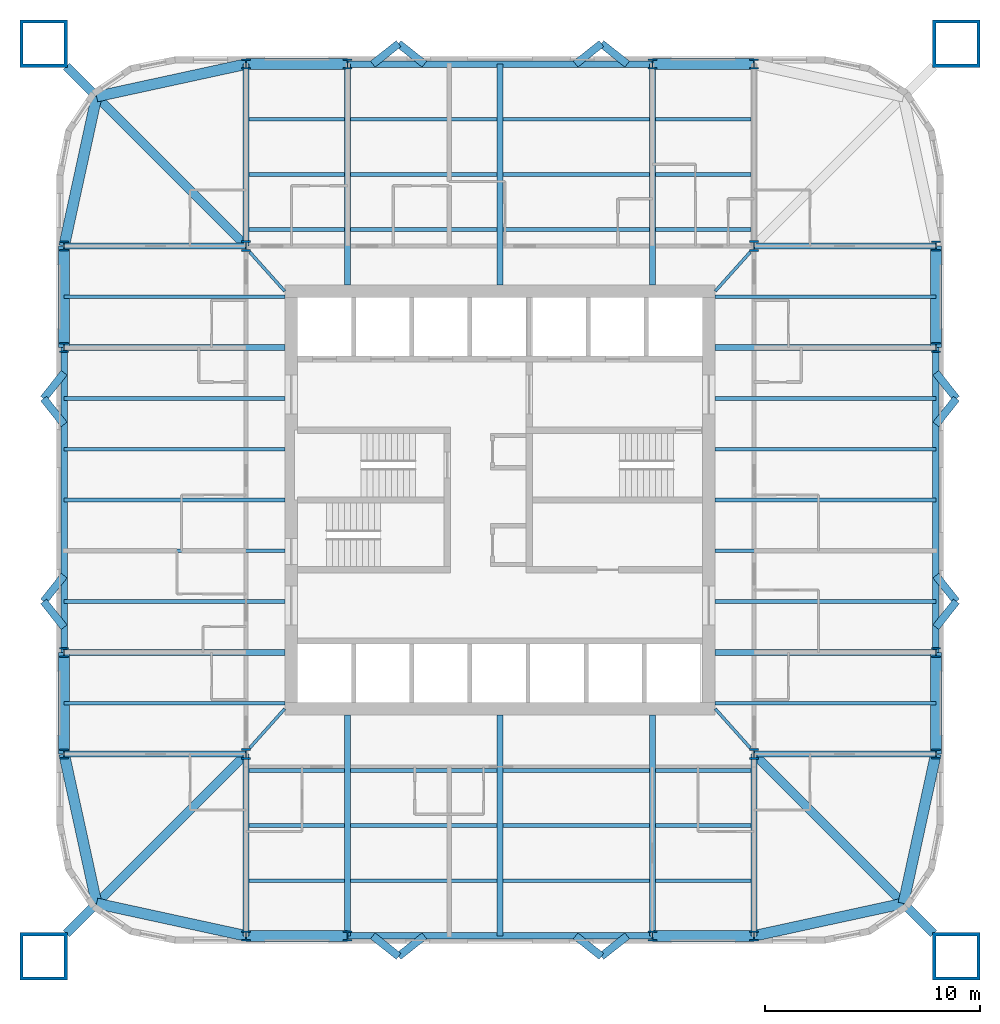
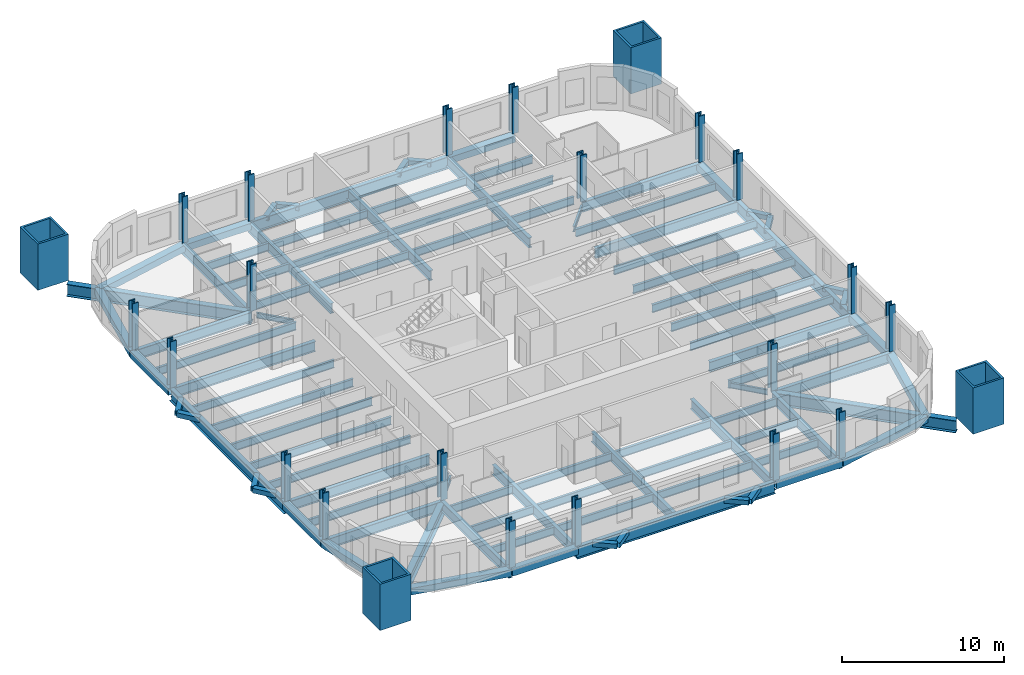
# One storey, part 1 of 9: 96 beams, 24 columns.
"""IFC4 building model written with IfcOpenShell, lengths in metres."""

from ifc_helpers import new_model, si_unit, direction, frame, origin, origin_2d, place, context, subcontext, project, spatial, hollow_rectangle, i_section, extrude, material, material_profile, profile_set, type_object, element, save


model = new_model("IFC4")

# Units and contexts
model_context = context("Model", 3, precision=1e-05, world=origin(), true_north=direction((0.0, 1.0)))
body_context = subcontext(model_context, "Body", "Model", "MODEL_VIEW")
ifc_project = project(units=[si_unit("LENGTHUNIT", "METRE"), si_unit("AREAUNIT", "SQUARE_METRE"), si_unit("VOLUMEUNIT", "CUBIC_METRE"), si_unit("PLANEANGLEUNIT", "RADIAN"), si_unit("MASSUNIT", "GRAM", prefix="KILO")], contexts=[model_context])

# Site, building, storey
site_placement = place(None, origin())
site = spatial("IfcSite", under=ifc_project, at=site_placement, CompositionType="ELEMENT")
building_placement = place(site_placement, origin())
building = spatial("IfcBuilding", under=site, at=building_placement, Name="Turquesa Mirador Hotel Tower", CompositionType="ELEMENT")
storey_placement = place(building_placement, frame((0.0, 0.0, 131.89990234375)))
storey = spatial("IfcBuildingStorey", under=building, at=storey_placement, Name="L35", CompositionType="ELEMENT", Elevation=131.89990234375)

# Columns
ifc_material_1 = material(Name="Steel ASTM A992 Grade 50", Category="steel")
ifc_material_profile_1 = material_profile(ifc_material_1, i_section(OverallWidth=0.421630859375, OverallDepth=0.46484375, WebThickness=0.044921875, FlangeThickness=0.072509765625, at=origin_2d()), Name="W14X398")
ifc_profile_set_1 = profile_set([ifc_material_profile_1], Name="Steel ASTM A992 Grade 50")
column_type_1 = type_object("IfcColumnType", Name="COLUMN W14X398", PredefinedType="COLUMN", material=ifc_profile_set_1)
for number, where, z_axis, x_axis, name in (
    (1, (34.75, 33.199951171875, 0.0), (0.0, 0.0, 1.0), (1.0, 0.0, 0.0), "COL-L35-P--20.25--11.80"),
    (2, (34.75, 37.919921875, 0.0), (0.0, 0.0, 1.0), (1.0, 0.0, 0.0), "COL-L35-P--20.25--7.08"),
    (3, (34.75, 52.080078125, 0.0), (0.0, 0.0, 1.0), (1.0, 0.0, 0.0), "COL-L35-P--20.25-+7.08"),
    (4, (34.75, 56.800048828125, 0.0), (0.0, 0.0, 1.0), (1.0, 0.0, 0.0), "COL-L35-P--20.25-+11.80"),
    (5, (43.199951171875, 24.75, 0.0), (0.0, 0.0, 1.0), (1.0, 0.0, 0.0), "COL-L35-P--11.80--20.25"),
    (6, (43.199951171875, 65.25, 0.0), (0.0, 0.0, 1.0), (1.0, 0.0, 0.0), "COL-L35-P--11.80-+20.25"),
    (7, (47.919921875, 24.75, 0.0), (0.0, 0.0, 1.0), (1.0, 0.0, 0.0), "COL-L35-P--7.08--20.25"),
    (8, (47.919921875, 65.25, 0.0), (0.0, 0.0, 1.0), (1.0, 0.0, 0.0), "COL-L35-P--7.08-+20.25"),
    (9, (62.080078125, 24.75, 0.0), (0.0, 0.0, 1.0), (1.0, 0.0, 0.0), "COL-L35-P-+7.08--20.25"),
    (10, (62.080078125, 65.25, 0.0), (0.0, 0.0, 1.0), (1.0, 0.0, 0.0), "COL-L35-P-+7.08-+20.25"),
    (11, (66.800048828125, 24.75, 0.0), (0.0, 0.0, 1.0), (1.0, 0.0, 0.0), "COL-L35-P-+11.80--20.25"),
    (12, (66.800048828125, 65.25, 0.0), (0.0, 0.0, 1.0), (1.0, 0.0, 0.0), "COL-L35-P-+11.80-+20.25"),
    (13, (75.25, 33.199951171875, 0.0), (0.0, 0.0, 1.0), (1.0, 0.0, 0.0), "COL-L35-P-+20.25--11.80"),
    (14, (75.25, 37.919921875, 0.0), (0.0, 0.0, 1.0), (1.0, 0.0, 0.0), "COL-L35-P-+20.25--7.08"),
    (15, (75.25, 52.080078125, 0.0), (0.0, 0.0, 1.0), (1.0, 0.0, 0.0), "COL-L35-P-+20.25-+7.08"),
    (16, (75.25, 56.800048828125, 0.0), (0.0, 0.0, 1.0), (1.0, 0.0, 0.0), "COL-L35-P-+20.25-+11.80"),
):
    element("IfcColumn", number, at=place(storey_placement, frame(where, z_axis=z_axis, x_axis=x_axis)), inside=storey, type_object=column_type_1, Name=name, PredefinedType="COLUMN", context=body_context, shape_type="SweptSolid", body=[
        extrude(i_section(OverallWidth=0.421630859375, OverallDepth=0.46484375, WebThickness=0.044921875, FlangeThickness=0.072509765625, at=origin_2d()), origin(), (0.0, 0.0, 1.0), 3.5),
    ])
ifc_material_2 = material(Name="Steel ASTM A992 Grade 50", Category="steel")
ifc_material_profile_2 = material_profile(ifc_material_2, i_section(OverallWidth=0.431884765625, OverallDepth=0.497802734375, WebThickness=0.0556640625, FlangeThickness=0.0888671875, at=origin_2d()), Name="W14X500")
ifc_profile_set_2 = profile_set([ifc_material_profile_2], Name="Steel ASTM A992 Grade 50")
column_type_2 = type_object("IfcColumnType", Name="COLUMN W14X500", PredefinedType="COLUMN", material=ifc_profile_set_2)
for number, where, z_axis, x_axis, name in (
    (17, (43.199951171875, 33.199951171875, 0.0), (0.0, 0.0, 1.0), (1.0, 0.0, 0.0), "COL-L35-K--11.80--11.80"),
    (18, (43.199951171875, 56.800048828125, 0.0), (0.0, 0.0, 1.0), (1.0, 0.0, 0.0), "COL-L35-K--11.80-+11.80"),
    (19, (66.800048828125, 33.199951171875, 0.0), (0.0, 0.0, 1.0), (1.0, 0.0, 0.0), "COL-L35-K-+11.80--11.80"),
    (20, (66.800048828125, 56.800048828125, 0.0), (0.0, 0.0, 1.0), (1.0, 0.0, 0.0), "COL-L35-K-+11.80-+11.80"),
):
    element("IfcColumn", number, at=place(storey_placement, frame(where, z_axis=z_axis, x_axis=x_axis)), inside=storey, type_object=column_type_2, Name=name, PredefinedType="COLUMN", context=body_context, shape_type="SweptSolid", body=[
        extrude(i_section(OverallWidth=0.431884765625, OverallDepth=0.497802734375, WebThickness=0.0556640625, FlangeThickness=0.0888671875, at=origin_2d()), origin(), (0.0, 0.0, 1.0), 3.5),
    ])
ifc_material_3 = material(Name="Steel ASTM A514 Grade Q", Category="steel")
ifc_material_profile_3 = material_profile(ifc_material_3, hollow_rectangle(XDim=2.199951171875, YDim=2.199951171875, WallThickness=0.14990234375, at=origin_2d()), Name="BOX2200X2200X150")
ifc_profile_set_3 = profile_set([ifc_material_profile_3], Name="Steel ASTM A514 Grade Q")
column_type_3 = type_object("IfcColumnType", Name="MEGA COLUMN BOX2200X2200X150", PredefinedType="COLUMN", material=ifc_profile_set_3)
for number, where, z_axis, x_axis, name in (
    (21, (76.199951171875, 66.199951171875, 0.0), (0.0, 0.0, 1.0), (1.0, 0.0, 0.0), "Mega column M1"),
    (22, (33.800048828125, 66.199951171875, 0.0), (0.0, 0.0, 1.0), (1.0, 0.0, 0.0), "Mega column M2"),
    (23, (33.800048828125, 23.800048828125, 0.0), (0.0, 0.0, 1.0), (1.0, 0.0, 0.0), "Mega column M3"),
    (24, (76.199951171875, 23.800048828125, 0.0), (0.0, 0.0, 1.0), (1.0, 0.0, 0.0), "Mega column M4"),
):
    element("IfcColumn", number, at=place(storey_placement, frame(where, z_axis=z_axis, x_axis=x_axis)), inside=storey, type_object=column_type_3, Name=name, PredefinedType="COLUMN", context=body_context, shape_type="SweptSolid", body=[
        extrude(hollow_rectangle(XDim=2.199951171875, YDim=2.199951171875, WallThickness=0.14990234375, at=origin_2d()), origin(), (0.0, 0.0, 1.0), 3.5),
    ])

# Beams
ifc_material_4 = material(Name="Steel ASTM A572 Grade 50", Category="steel")
ifc_material_profile_4 = material_profile(ifc_material_4, hollow_rectangle(XDim=0.5, YDim=0.5, WallThickness=0.01611328125, at=origin_2d()), Name="BOX500X500X16")
ifc_profile_set_4 = profile_set([ifc_material_profile_4], Name="Steel ASTM A572 Grade 50")
beam_type_1 = type_object("IfcBeamType", Name="BEAM BOX500X500X16", PredefinedType="BEAM", material=ifc_profile_set_4)
for number, where, z_axis, x_axis, name in (
    (25, (43.199951171875, 65.25, -0.419921875), (1.0, 0.0, 0.0), (0.0, 1.0, 0.0), "EB-L35-N-L"),
    (26, (62.080078125, 65.25, -0.419921875), (1.0, 0.0, 0.0), (0.0, 1.0, 0.0), "EB-L35-N-R"),
    (27, (43.199951171875, 24.75, -0.419921875), (1.0, 0.0, 0.0), (0.0, 1.0, 0.0), "EB-L35-S-L"),
    (28, (62.080078125, 24.75, -0.419921875), (1.0, 0.0, 0.0), (0.0, 1.0, 0.0), "EB-L35-S-R"),
    (29, (75.25, 33.199951171875, -0.419921875), (0.0, 1.0, 0.0), (-1.0, 0.0, 0.0), "EB-L35-E-L"),
    (30, (75.25, 52.080078125, -0.419921875), (0.0, 1.0, 0.0), (-1.0, 0.0, 0.0), "EB-L35-E-R"),
    (31, (34.75, 33.199951171875, -0.419921875), (0.0, 1.0, 0.0), (-1.0, 0.0, 0.0), "EB-L35-W-L"),
    (32, (34.75, 52.080078125, -0.419921875), (0.0, 1.0, 0.0), (-1.0, 0.0, 0.0), "EB-L35-W-R"),
):
    element("IfcBeam", number, at=place(storey_placement, frame(where, z_axis=z_axis, x_axis=x_axis)), inside=storey, type_object=beam_type_1, Name=name, PredefinedType="BEAM", context=body_context, shape_type="SweptSolid", body=[
        extrude(hollow_rectangle(XDim=0.5, YDim=0.5, WallThickness=0.01611328125, at=origin_2d()), origin(), (0.0, 0.0, 1.0), 4.719970703125),
    ])
for number, where, z_axis, x_axis, name in (
    (33, (34.75, 56.800048828125, -0.419921875), (0.212328336885, 0.977198381781, 0.0), (-0.977198381781, 0.212328336885, 0.0), "KE-L35-2-0"),
    (34, (36.25830078125, 63.74169921875, -0.419921875), (0.977198381781, 0.212328336885, 0.0), (-0.212328336885, 0.977198381781, 0.0), "KE-L35-2-1"),
    (35, (34.75, 33.199951171875, -0.419921875), (0.212328336885, -0.977198381781, 0.0), (0.977198381781, 0.212328336885, 0.0), "KE-L35-3-0"),
    (36, (36.25830078125, 26.25830078125, -0.419921875), (0.977198381781, -0.212328336885, 0.0), (0.212328336885, 0.977198381781, 0.0), "KE-L35-3-1"),
    (37, (75.25, 33.199951171875, -0.419921875), (-0.212328336885, -0.977198381781, 0.0), (0.977198381781, -0.212328336885, 0.0), "KE-L35-4-0"),
    (38, (73.74169921875, 26.25830078125, -0.419921875), (-0.977198381781, -0.212328336885, 0.0), (0.212328336885, -0.977198381781, 0.0), "KE-L35-4-1"),
):
    element("IfcBeam", number, at=place(storey_placement, frame(where, z_axis=z_axis, x_axis=x_axis)), inside=storey, type_object=beam_type_1, Name=name, PredefinedType="BEAM", context=body_context, shape_type="SweptSolid", body=[
        extrude(hollow_rectangle(XDim=0.5, YDim=0.5, WallThickness=0.01611328125, at=origin_2d()), origin(), (0.0, 0.0, 1.0), 7.103515625),
    ])
ifc_material_5 = material(Name="Steel ASTM A992 Grade 50", Category="steel")
ifc_material_profile_5 = material_profile(ifc_material_5, i_section(OverallWidth=0.140380859375, OverallDepth=0.40380859375, WebThickness=0.007080078125, FlangeThickness=0.01123046875, at=origin_2d()), Name="W16X31")
ifc_profile_set_5 = profile_set([ifc_material_profile_5], Name="Steel ASTM A992 Grade 50")
beam_type_2 = type_object("IfcBeamType", Name="BEAM W16X31", PredefinedType="BEAM", material=ifc_profile_set_5)
for number, where, z_axis, x_axis, name in (
    (39, (66.626953125, 56.518310546875, -0.371826171875), (-0.66679485947, -0.745241313525, 0.0), (0.745241313525, -0.66679485947, 0.0), "KT-L35-1"),
    (40, (43.373046875, 56.518310546875, -0.371826171875), (0.66679485947, -0.745241313525, 0.0), (0.745241313525, 0.66679485947, 0.0), "KT-L35-2"),
    (41, (43.373046875, 33.481689453125, -0.371826171875), (0.66679485947, 0.745241313525, 0.0), (-0.745241313525, 0.66679485947, 0.0), "KT-L35-3"),
    (42, (66.626953125, 33.481689453125, -0.371826171875), (-0.66679485947, 0.745241313525, 0.0), (-0.745241313525, -0.66679485947, 0.0), "KT-L35-4"),
):
    element("IfcBeam", number, at=place(storey_placement, frame(where, z_axis=z_axis, x_axis=x_axis)), inside=storey, type_object=beam_type_2, Name=name, PredefinedType="BEAM", context=body_context, shape_type="SweptSolid", body=[
        extrude(i_section(OverallWidth=0.140380859375, OverallDepth=0.40380859375, WebThickness=0.007080078125, FlangeThickness=0.01123046875, at=origin_2d()), origin(), (0.0, 0.0, 1.0), 2.43994140625),
    ])
ifc_material_6 = material(Name="Steel ASTM A992 Grade 50", Category="steel")
ifc_material_profile_6 = material_profile(ifc_material_6, i_section(OverallWidth=0.177978515625, OverallDepth=0.599365234375, WebThickness=0.010009765625, FlangeThickness=0.012939453125, at=origin_2d()), Name="W24X55")
ifc_profile_set_6 = profile_set([ifc_material_profile_6], Name="Steel ASTM A992 Grade 50")
beam_type_3 = type_object("IfcBeamType", Name="BEAM W24X55", PredefinedType="BEAM", material=ifc_profile_set_6)
beam_1_placement = place(storey_placement, frame((43.333251953125, 57.56201171875, -0.4697265625), z_axis=(1.0, 0.0, 0.0), x_axis=(0.0, 1.0, 0.0)))
element("IfcBeam", 43, at=beam_1_placement, inside=storey, type_object=beam_type_3, Name="IB-L35-N-1-0", PredefinedType="BEAM", context=body_context, shape_type="SweptSolid", body=[
    extrude(i_section(OverallWidth=0.177978515625, OverallDepth=0.599365234375, WebThickness=0.010009765625, FlangeThickness=0.012939453125, at=origin_2d()), origin(), (0.0, 0.0, 1.0), 4.453369140625),
])
for number, where, z_axis, x_axis, name in (
    (44, (48.053466796875, 57.56201171875, -0.4697265625), (1.0, 0.0, 0.0), (0.0, 1.0, 0.0), "IB-L35-N-1-1"),
    (45, (55.13330078125, 57.56201171875, -0.4697265625), (1.0, 0.0, 0.0), (0.0, 1.0, 0.0), "IB-L35-N-1-2"),
):
    element("IfcBeam", number, at=place(storey_placement, frame(where, z_axis=z_axis, x_axis=x_axis)), inside=storey, type_object=beam_type_3, Name=name, PredefinedType="BEAM", context=body_context, shape_type="SweptSolid", body=[
        extrude(i_section(OverallWidth=0.177978515625, OverallDepth=0.599365234375, WebThickness=0.010009765625, FlangeThickness=0.012939453125, at=origin_2d()), origin(), (0.0, 0.0, 1.0), 6.813232421875),
    ])
for number, where, z_axis, x_axis, name in (
    (46, (62.21337890625, 57.56201171875, -0.4697265625), (1.0, 0.0, 0.0), (0.0, 1.0, 0.0), "IB-L35-N-1-3"),
    (47, (43.333251953125, 60.125, -0.4697265625), (1.0, 0.0, 0.0), (0.0, 1.0, 0.0), "IB-L35-N-2-0"),
):
    element("IfcBeam", number, at=place(storey_placement, frame(where, z_axis=z_axis, x_axis=x_axis)), inside=storey, type_object=beam_type_3, Name=name, PredefinedType="BEAM", context=body_context, shape_type="SweptSolid", body=[
        extrude(i_section(OverallWidth=0.177978515625, OverallDepth=0.599365234375, WebThickness=0.010009765625, FlangeThickness=0.012939453125, at=origin_2d()), origin(), (0.0, 0.0, 1.0), 4.453369140625),
    ])
for number, where, z_axis, x_axis, name in (
    (48, (48.053466796875, 60.125, -0.4697265625), (1.0, 0.0, 0.0), (0.0, 1.0, 0.0), "IB-L35-N-2-1"),
    (49, (55.13330078125, 60.125, -0.4697265625), (1.0, 0.0, 0.0), (0.0, 1.0, 0.0), "IB-L35-N-2-2"),
):
    element("IfcBeam", number, at=place(storey_placement, frame(where, z_axis=z_axis, x_axis=x_axis)), inside=storey, type_object=beam_type_3, Name=name, PredefinedType="BEAM", context=body_context, shape_type="SweptSolid", body=[
        extrude(i_section(OverallWidth=0.177978515625, OverallDepth=0.599365234375, WebThickness=0.010009765625, FlangeThickness=0.012939453125, at=origin_2d()), origin(), (0.0, 0.0, 1.0), 6.813232421875),
    ])
for number, where, z_axis, x_axis, name in (
    (50, (62.21337890625, 60.125, -0.4697265625), (1.0, 0.0, 0.0), (0.0, 1.0, 0.0), "IB-L35-N-2-3"),
    (51, (43.333251953125, 62.68798828125, -0.4697265625), (1.0, 0.0, 0.0), (0.0, 1.0, 0.0), "IB-L35-N-3-0"),
):
    element("IfcBeam", number, at=place(storey_placement, frame(where, z_axis=z_axis, x_axis=x_axis)), inside=storey, type_object=beam_type_3, Name=name, PredefinedType="BEAM", context=body_context, shape_type="SweptSolid", body=[
        extrude(i_section(OverallWidth=0.177978515625, OverallDepth=0.599365234375, WebThickness=0.010009765625, FlangeThickness=0.012939453125, at=origin_2d()), origin(), (0.0, 0.0, 1.0), 4.453369140625),
    ])
for number, where, z_axis, x_axis, name in (
    (52, (48.053466796875, 62.68798828125, -0.4697265625), (1.0, 0.0, 0.0), (0.0, 1.0, 0.0), "IB-L35-N-3-1"),
    (53, (55.13330078125, 62.68798828125, -0.4697265625), (1.0, 0.0, 0.0), (0.0, 1.0, 0.0), "IB-L35-N-3-2"),
):
    element("IfcBeam", number, at=place(storey_placement, frame(where, z_axis=z_axis, x_axis=x_axis)), inside=storey, type_object=beam_type_3, Name=name, PredefinedType="BEAM", context=body_context, shape_type="SweptSolid", body=[
        extrude(i_section(OverallWidth=0.177978515625, OverallDepth=0.599365234375, WebThickness=0.010009765625, FlangeThickness=0.012939453125, at=origin_2d()), origin(), (0.0, 0.0, 1.0), 6.813232421875),
    ])
for number, where, z_axis, x_axis, name in (
    (54, (62.21337890625, 62.68798828125, -0.4697265625), (1.0, 0.0, 0.0), (0.0, 1.0, 0.0), "IB-L35-N-3-3"),
    (55, (43.333251953125, 32.43798828125, -0.4697265625), (1.0, 0.0, 0.0), (0.0, 1.0, 0.0), "IB-L35-S-1-0"),
):
    element("IfcBeam", number, at=place(storey_placement, frame(where, z_axis=z_axis, x_axis=x_axis)), inside=storey, type_object=beam_type_3, Name=name, PredefinedType="BEAM", context=body_context, shape_type="SweptSolid", body=[
        extrude(i_section(OverallWidth=0.177978515625, OverallDepth=0.599365234375, WebThickness=0.010009765625, FlangeThickness=0.012939453125, at=origin_2d()), origin(), (0.0, 0.0, 1.0), 4.453369140625),
    ])
for number, where, z_axis, x_axis, name in (
    (56, (48.053466796875, 32.43798828125, -0.4697265625), (1.0, 0.0, 0.0), (0.0, 1.0, 0.0), "IB-L35-S-1-1"),
    (57, (55.13330078125, 32.43798828125, -0.4697265625), (1.0, 0.0, 0.0), (0.0, 1.0, 0.0), "IB-L35-S-1-2"),
):
    element("IfcBeam", number, at=place(storey_placement, frame(where, z_axis=z_axis, x_axis=x_axis)), inside=storey, type_object=beam_type_3, Name=name, PredefinedType="BEAM", context=body_context, shape_type="SweptSolid", body=[
        extrude(i_section(OverallWidth=0.177978515625, OverallDepth=0.599365234375, WebThickness=0.010009765625, FlangeThickness=0.012939453125, at=origin_2d()), origin(), (0.0, 0.0, 1.0), 6.813232421875),
    ])
for number, where, z_axis, x_axis, name in (
    (58, (62.21337890625, 32.43798828125, -0.4697265625), (1.0, 0.0, 0.0), (0.0, 1.0, 0.0), "IB-L35-S-1-3"),
    (59, (43.333251953125, 29.875, -0.4697265625), (1.0, 0.0, 0.0), (0.0, 1.0, 0.0), "IB-L35-S-2-0"),
):
    element("IfcBeam", number, at=place(storey_placement, frame(where, z_axis=z_axis, x_axis=x_axis)), inside=storey, type_object=beam_type_3, Name=name, PredefinedType="BEAM", context=body_context, shape_type="SweptSolid", body=[
        extrude(i_section(OverallWidth=0.177978515625, OverallDepth=0.599365234375, WebThickness=0.010009765625, FlangeThickness=0.012939453125, at=origin_2d()), origin(), (0.0, 0.0, 1.0), 4.453369140625),
    ])
for number, where, z_axis, x_axis, name in (
    (60, (48.053466796875, 29.875, -0.4697265625), (1.0, 0.0, 0.0), (0.0, 1.0, 0.0), "IB-L35-S-2-1"),
    (61, (55.13330078125, 29.875, -0.4697265625), (1.0, 0.0, 0.0), (0.0, 1.0, 0.0), "IB-L35-S-2-2"),
):
    element("IfcBeam", number, at=place(storey_placement, frame(where, z_axis=z_axis, x_axis=x_axis)), inside=storey, type_object=beam_type_3, Name=name, PredefinedType="BEAM", context=body_context, shape_type="SweptSolid", body=[
        extrude(i_section(OverallWidth=0.177978515625, OverallDepth=0.599365234375, WebThickness=0.010009765625, FlangeThickness=0.012939453125, at=origin_2d()), origin(), (0.0, 0.0, 1.0), 6.813232421875),
    ])
for number, where, z_axis, x_axis, name in (
    (62, (62.21337890625, 29.875, -0.4697265625), (1.0, 0.0, 0.0), (0.0, 1.0, 0.0), "IB-L35-S-2-3"),
    (63, (43.333251953125, 27.31201171875, -0.4697265625), (1.0, 0.0, 0.0), (0.0, 1.0, 0.0), "IB-L35-S-3-0"),
):
    element("IfcBeam", number, at=place(storey_placement, frame(where, z_axis=z_axis, x_axis=x_axis)), inside=storey, type_object=beam_type_3, Name=name, PredefinedType="BEAM", context=body_context, shape_type="SweptSolid", body=[
        extrude(i_section(OverallWidth=0.177978515625, OverallDepth=0.599365234375, WebThickness=0.010009765625, FlangeThickness=0.012939453125, at=origin_2d()), origin(), (0.0, 0.0, 1.0), 4.453369140625),
    ])
for number, where, z_axis, x_axis, name in (
    (64, (48.053466796875, 27.31201171875, -0.4697265625), (1.0, 0.0, 0.0), (0.0, 1.0, 0.0), "IB-L35-S-3-1"),
    (65, (55.13330078125, 27.31201171875, -0.4697265625), (1.0, 0.0, 0.0), (0.0, 1.0, 0.0), "IB-L35-S-3-2"),
):
    element("IfcBeam", number, at=place(storey_placement, frame(where, z_axis=z_axis, x_axis=x_axis)), inside=storey, type_object=beam_type_3, Name=name, PredefinedType="BEAM", context=body_context, shape_type="SweptSolid", body=[
        extrude(i_section(OverallWidth=0.177978515625, OverallDepth=0.599365234375, WebThickness=0.010009765625, FlangeThickness=0.012939453125, at=origin_2d()), origin(), (0.0, 0.0, 1.0), 6.813232421875),
    ])
beam_2_placement = place(storey_placement, frame((62.21337890625, 27.31201171875, -0.4697265625), z_axis=(1.0, 0.0, 0.0), x_axis=(0.0, 1.0, 0.0)))
element("IfcBeam", 66, at=beam_2_placement, inside=storey, type_object=beam_type_3, Name="IB-L35-S-3-3", PredefinedType="BEAM", context=body_context, shape_type="SweptSolid", body=[
    extrude(i_section(OverallWidth=0.177978515625, OverallDepth=0.599365234375, WebThickness=0.010009765625, FlangeThickness=0.012939453125, at=origin_2d()), origin(), (0.0, 0.0, 1.0), 4.453369140625),
])
for number, where, z_axis, x_axis, name in (
    (67, (75.25, 35.56005859375, -0.4697265625), (-1.0, 0.0, 0.0), (0.0, -1.0, 0.0), "BM-L35-E--9.44"),
    (68, (75.25, 40.280029296875, -0.4697265625), (-1.0, 0.0, 0.0), (0.0, -1.0, 0.0), "BM-L35-E--4.72"),
    (69, (75.25, 42.639892578125, -0.4697265625), (-1.0, 0.0, 0.0), (0.0, -1.0, 0.0), "BM-L35-E--2.36"),
    (70, (75.25, 45.0, -0.4697265625), (-1.0, 0.0, 0.0), (0.0, -1.0, 0.0), "BM-L35-E-+0.00"),
    (71, (75.25, 47.360107421875, -0.4697265625), (-1.0, 0.0, 0.0), (0.0, -1.0, 0.0), "BM-L35-E-+2.36"),
    (72, (75.25, 49.719970703125, -0.4697265625), (-1.0, 0.0, 0.0), (0.0, -1.0, 0.0), "BM-L35-E-+4.72"),
    (73, (75.25, 54.43994140625, -0.4697265625), (-1.0, 0.0, 0.0), (0.0, -1.0, 0.0), "BM-L35-E-+9.44"),
    (74, (34.75, 35.56005859375, -0.4697265625), (1.0, 0.0, 0.0), (0.0, 1.0, 0.0), "BM-L35-W--9.44"),
    (75, (34.75, 40.280029296875, -0.4697265625), (1.0, 0.0, 0.0), (0.0, 1.0, 0.0), "BM-L35-W--4.72"),
    (76, (34.75, 42.639892578125, -0.4697265625), (1.0, 0.0, 0.0), (0.0, 1.0, 0.0), "BM-L35-W--2.36"),
    (77, (34.75, 45.0, -0.4697265625), (1.0, 0.0, 0.0), (0.0, 1.0, 0.0), "BM-L35-W-+0.00"),
    (78, (34.75, 47.360107421875, -0.4697265625), (1.0, 0.0, 0.0), (0.0, 1.0, 0.0), "BM-L35-W-+2.36"),
    (79, (34.75, 49.719970703125, -0.4697265625), (1.0, 0.0, 0.0), (0.0, 1.0, 0.0), "BM-L35-W-+4.72"),
    (80, (34.75, 54.43994140625, -0.4697265625), (1.0, 0.0, 0.0), (0.0, 1.0, 0.0), "BM-L35-W-+9.44"),
):
    element("IfcBeam", number, at=place(storey_placement, frame(where, z_axis=z_axis, x_axis=x_axis)), inside=storey, type_object=beam_type_3, Name=name, PredefinedType="BEAM", context=body_context, shape_type="SweptSolid", body=[
        extrude(i_section(OverallWidth=0.177978515625, OverallDepth=0.599365234375, WebThickness=0.010009765625, FlangeThickness=0.012939453125, at=origin_2d()), origin(), (0.0, 0.0, 1.0), 10.25),
    ])
ifc_material_7 = material(Name="Steel ASTM A992 Grade 50", Category="steel")
ifc_material_profile_7 = material_profile(ifc_material_7, i_section(OverallWidth=0.2666015625, OverallDepth=0.7568359375, WebThickness=0.013916015625, FlangeThickness=0.019287109375, at=origin_2d()), Name="W30X108")
ifc_profile_set_7 = profile_set([ifc_material_profile_7], Name="Steel ASTM A992 Grade 50")
beam_type_4 = type_object("IfcBeamType", Name="BEAM W30X108", PredefinedType="BEAM", material=ifc_profile_set_7)
for number, where, z_axis, x_axis, name in (
    (81, (47.919921875, 65.25, -0.54833984375), (0.0, -1.0, 0.0), (1.0, 0.0, 0.0), "GD-L35-N--7.08"),
    (82, (62.080078125, 65.25, -0.54833984375), (0.0, -1.0, 0.0), (1.0, 0.0, 0.0), "GD-L35-N-+7.08"),
    (83, (55.0, 65.25, -0.54833984375), (0.0, -1.0, 0.0), (1.0, 0.0, 0.0), "GD-L35-N-+0.00"),
):
    element("IfcBeam", number, at=place(storey_placement, frame(where, z_axis=z_axis, x_axis=x_axis)), inside=storey, type_object=beam_type_4, Name=name, PredefinedType="BEAM", context=body_context, shape_type="SweptSolid", body=[
        extrude(i_section(OverallWidth=0.2666015625, OverallDepth=0.7568359375, WebThickness=0.013916015625, FlangeThickness=0.019287109375, at=origin_2d()), origin(), (0.0, 0.0, 1.0), 10.25),
    ])
beam_3_placement = place(storey_placement, frame((43.199951171875, 65.25, -0.54833984375), z_axis=(0.0, -1.0, 0.0), x_axis=(1.0, 0.0, 0.0)))
element("IfcBeam", 84, at=beam_3_placement, inside=storey, type_object=beam_type_4, Name="GK-L35-N--11.80", PredefinedType="BEAM", context=body_context, shape_type="SweptSolid", body=[
    extrude(i_section(OverallWidth=0.2666015625, OverallDepth=0.7568359375, WebThickness=0.013916015625, FlangeThickness=0.019287109375, at=origin_2d()), origin(), (0.0, 0.0, 1.0), 8.449951171875),
])
for number, where, z_axis, x_axis, name in (
    (85, (47.919921875, 24.75, -0.54833984375), (0.0, 1.0, 0.0), (-1.0, 0.0, 0.0), "GD-L35-S--7.08"),
    (86, (62.080078125, 24.75, -0.54833984375), (0.0, 1.0, 0.0), (-1.0, 0.0, 0.0), "GD-L35-S-+7.08"),
    (87, (55.0, 24.75, -0.54833984375), (0.0, 1.0, 0.0), (-1.0, 0.0, 0.0), "GD-L35-S-+0.00"),
):
    element("IfcBeam", number, at=place(storey_placement, frame(where, z_axis=z_axis, x_axis=x_axis)), inside=storey, type_object=beam_type_4, Name=name, PredefinedType="BEAM", context=body_context, shape_type="SweptSolid", body=[
        extrude(i_section(OverallWidth=0.2666015625, OverallDepth=0.7568359375, WebThickness=0.013916015625, FlangeThickness=0.019287109375, at=origin_2d()), origin(), (0.0, 0.0, 1.0), 10.25),
    ])
for number, where, z_axis, x_axis, name in (
    (88, (43.199951171875, 24.75, -0.54833984375), (0.0, 1.0, 0.0), (-1.0, 0.0, 0.0), "GK-L35-S--11.80"),
    (89, (66.800048828125, 24.75, -0.54833984375), (0.0, 1.0, 0.0), (-1.0, 0.0, 0.0), "GK-L35-S-+11.80"),
):
    element("IfcBeam", number, at=place(storey_placement, frame(where, z_axis=z_axis, x_axis=x_axis)), inside=storey, type_object=beam_type_4, Name=name, PredefinedType="BEAM", context=body_context, shape_type="SweptSolid", body=[
        extrude(i_section(OverallWidth=0.2666015625, OverallDepth=0.7568359375, WebThickness=0.013916015625, FlangeThickness=0.019287109375, at=origin_2d()), origin(), (0.0, 0.0, 1.0), 8.449951171875),
    ])
for number, where, z_axis, x_axis, name in (
    (90, (75.25, 37.919921875, -0.54833984375), (-1.0, 0.0, 0.0), (0.0, -1.0, 0.0), "GD-L35-E--7.08"),
    (91, (75.25, 52.080078125, -0.54833984375), (-1.0, 0.0, 0.0), (0.0, -1.0, 0.0), "GD-L35-E-+7.08"),
):
    element("IfcBeam", number, at=place(storey_placement, frame(where, z_axis=z_axis, x_axis=x_axis)), inside=storey, type_object=beam_type_4, Name=name, PredefinedType="BEAM", context=body_context, shape_type="SweptSolid", body=[
        extrude(i_section(OverallWidth=0.2666015625, OverallDepth=0.7568359375, WebThickness=0.013916015625, FlangeThickness=0.019287109375, at=origin_2d()), origin(), (0.0, 0.0, 1.0), 10.25),
    ])
for number, where, z_axis, x_axis, name in (
    (92, (75.25, 33.199951171875, -0.54833984375), (-1.0, 0.0, 0.0), (0.0, -1.0, 0.0), "GK-L35-E--11.80"),
    (93, (75.25, 56.800048828125, -0.54833984375), (-1.0, 0.0, 0.0), (0.0, -1.0, 0.0), "GK-L35-E-+11.80"),
):
    element("IfcBeam", number, at=place(storey_placement, frame(where, z_axis=z_axis, x_axis=x_axis)), inside=storey, type_object=beam_type_4, Name=name, PredefinedType="BEAM", context=body_context, shape_type="SweptSolid", body=[
        extrude(i_section(OverallWidth=0.2666015625, OverallDepth=0.7568359375, WebThickness=0.013916015625, FlangeThickness=0.019287109375, at=origin_2d()), origin(), (0.0, 0.0, 1.0), 8.449951171875),
    ])
for number, where, z_axis, x_axis, name in (
    (94, (34.75, 37.919921875, -0.54833984375), (1.0, 0.0, 0.0), (0.0, 1.0, 0.0), "GD-L35-W--7.08"),
    (95, (34.75, 52.080078125, -0.54833984375), (1.0, 0.0, 0.0), (0.0, 1.0, 0.0), "GD-L35-W-+7.08"),
):
    element("IfcBeam", number, at=place(storey_placement, frame(where, z_axis=z_axis, x_axis=x_axis)), inside=storey, type_object=beam_type_4, Name=name, PredefinedType="BEAM", context=body_context, shape_type="SweptSolid", body=[
        extrude(i_section(OverallWidth=0.2666015625, OverallDepth=0.7568359375, WebThickness=0.013916015625, FlangeThickness=0.019287109375, at=origin_2d()), origin(), (0.0, 0.0, 1.0), 10.25),
    ])
for number, where, z_axis, x_axis, name in (
    (96, (34.75, 33.199951171875, -0.54833984375), (1.0, 0.0, 0.0), (0.0, 1.0, 0.0), "GK-L35-W--11.80"),
    (97, (34.75, 56.800048828125, -0.54833984375), (1.0, 0.0, 0.0), (0.0, 1.0, 0.0), "GK-L35-W-+11.80"),
):
    element("IfcBeam", number, at=place(storey_placement, frame(where, z_axis=z_axis, x_axis=x_axis)), inside=storey, type_object=beam_type_4, Name=name, PredefinedType="BEAM", context=body_context, shape_type="SweptSolid", body=[
        extrude(i_section(OverallWidth=0.2666015625, OverallDepth=0.7568359375, WebThickness=0.013916015625, FlangeThickness=0.019287109375, at=origin_2d()), origin(), (0.0, 0.0, 1.0), 8.449951171875),
    ])
ifc_material_8 = material(Name="Steel ASTM A992 Grade 50", Category="steel")
ifc_material_profile_8 = material_profile(ifc_material_8, i_section(OverallWidth=0.3046875, OverallDepth=0.911865234375, WebThickness=0.015869140625, FlangeThickness=0.02392578125, at=origin_2d()), Name="W36X150")
ifc_profile_set_8 = profile_set([ifc_material_profile_8], Name="Steel ASTM A992 Grade 50")
beam_type_5 = type_object("IfcBeamType", Name="BEAM W36X150", PredefinedType="BEAM", material=ifc_profile_set_8)
for number, where, z_axis, x_axis, name in (
    (98, (47.919921875, 65.25, -0.625732421875), (1.0, 0.0, 0.0), (0.0, 1.0, 0.0), "EB-L35-N-C"),
    (99, (47.919921875, 24.75, -0.625732421875), (1.0, 0.0, 0.0), (0.0, 1.0, 0.0), "EB-L35-S-C"),
    (100, (75.25, 37.919921875, -0.625732421875), (0.0, 1.0, 0.0), (-1.0, 0.0, 0.0), "EB-L35-E-C"),
    (101, (34.75, 37.919921875, -0.625732421875), (0.0, 1.0, 0.0), (-1.0, 0.0, 0.0), "EB-L35-W-C"),
):
    element("IfcBeam", number, at=place(storey_placement, frame(where, z_axis=z_axis, x_axis=x_axis)), inside=storey, type_object=beam_type_5, Name=name, PredefinedType="BEAM", context=body_context, shape_type="SweptSolid", body=[
        extrude(i_section(OverallWidth=0.3046875, OverallDepth=0.911865234375, WebThickness=0.015869140625, FlangeThickness=0.02392578125, at=origin_2d()), origin(), (0.0, 0.0, 1.0), 14.16015625),
    ])
ifc_material_9 = material(Name="Steel ASTM A992 Grade 50", Category="steel")
ifc_material_profile_9 = material_profile(ifc_material_9, i_section(OverallWidth=0.419189453125, OverallDepth=0.927001953125, WebThickness=0.019287109375, FlangeThickness=0.031982421875, at=origin_2d()), Name="W36X231")
ifc_profile_set_9 = profile_set([ifc_material_profile_9], Name="Steel ASTM A992 Grade 50")
beam_type_6 = type_object("IfcBeamType", Name="BEAM W36X231", PredefinedType="BEAM", material=ifc_profile_set_9)
for number, where, z_axis, x_axis, name in (
    (102, (43.199951171875, 56.800048828125, -0.633544921875), (-0.707106781187, 0.707106781187, 0.0), (-0.707106781187, -0.707106781187, 0.0), "KD-L35-2"),
    (103, (43.199951171875, 33.199951171875, -0.633544921875), (-0.707106781187, -0.707106781187, 0.0), (0.707106781187, -0.707106781187, 0.0), "KD-L35-3"),
    (104, (66.800048828125, 33.199951171875, -0.633544921875), (0.707106781187, -0.707106781187, 0.0), (0.707106781187, 0.707106781187, 0.0), "KD-L35-4"),
):
    element("IfcBeam", number, at=place(storey_placement, frame(where, z_axis=z_axis, x_axis=x_axis)), inside=storey, type_object=beam_type_6, Name=name, PredefinedType="BEAM", context=body_context, shape_type="SweptSolid", body=[
        extrude(i_section(OverallWidth=0.419189453125, OverallDepth=0.927001953125, WebThickness=0.019287109375, FlangeThickness=0.031982421875, at=origin_2d()), origin(), (0.0, 0.0, 1.0), 11.80859375),
    ])
ifc_material_10 = material(Name="Steel ASTM A500 Grade C", Category="steel")
ifc_material_profile_10 = material_profile(ifc_material_10, hollow_rectangle(XDim=0.355712890625, YDim=0.355712890625, WallThickness=0.0146484375, at=origin_2d()), Name="HSS14X14X5/8")
ifc_profile_set_10 = profile_set([ifc_material_profile_10], Name="Steel ASTM A500 Grade C")
beam_type_7 = type_object("IfcBeamType", Name="BRACE STRUT HSS14X14X5/8", PredefinedType="BEAM", material=ifc_profile_set_10)
for number, where, z_axis, x_axis, name in (
    (105, (59.711181640625, 66.199951171875, -0.34765625), (-0.784049059149, -0.620698858423, 0.0), (0.620698858423, -0.784049059149, 0.0), "Brace strut"),
    (106, (59.711181640625, 66.199951171875, -0.34765625), (0.784049059149, -0.620698858423, 0.0), (0.620698858423, 0.784049059149, 0.0), "Brace strut"),
    (107, (50.288818359375, 66.199951171875, -0.34765625), (-0.784049059149, -0.620698858423, 0.0), (0.620698858423, -0.784049059149, 0.0), "Brace strut"),
    (108, (50.288818359375, 66.199951171875, -0.34765625), (0.784049059149, -0.620698858423, 0.0), (0.620698858423, 0.784049059149, 0.0), "Brace strut"),
    (109, (59.711181640625, 23.800048828125, -0.34765625), (-0.784049059149, 0.620698858423, 0.0), (-0.620698858423, -0.784049059149, 0.0), "Brace strut"),
    (110, (59.711181640625, 23.800048828125, -0.34765625), (0.784049059149, 0.620698858423, 0.0), (-0.620698858423, 0.784049059149, 0.0), "Brace strut"),
    (111, (50.288818359375, 23.800048828125, -0.34765625), (-0.784049059149, 0.620698858423, 0.0), (-0.620698858423, -0.784049059149, 0.0), "Brace strut"),
    (112, (50.288818359375, 23.800048828125, -0.34765625), (0.784049059149, 0.620698858423, 0.0), (-0.620698858423, 0.784049059149, 0.0), "Brace strut"),
    (113, (76.199951171875, 49.711181640625, -0.34765625), (-0.620698858423, -0.784049059149, 0.0), (0.784049059149, -0.620698858423, 0.0), "Brace strut"),
    (114, (76.199951171875, 49.711181640625, -0.34765625), (-0.620698858423, 0.784049059149, 0.0), (-0.784049059149, -0.620698858423, 0.0), "Brace strut"),
    (115, (76.199951171875, 40.288818359375, -0.34765625), (-0.620698858423, -0.784049059149, 0.0), (0.784049059149, -0.620698858423, 0.0), "Brace strut"),
    (116, (76.199951171875, 40.288818359375, -0.34765625), (-0.620698858423, 0.784049059149, 0.0), (-0.784049059149, -0.620698858423, 0.0), "Brace strut"),
    (117, (33.800048828125, 49.711181640625, -0.34765625), (0.620698858423, -0.784049059149, 0.0), (0.784049059149, 0.620698858423, 0.0), "Brace strut"),
    (118, (33.800048828125, 49.711181640625, -0.34765625), (0.620698858423, 0.784049059149, 0.0), (-0.784049059149, 0.620698858423, 0.0), "Brace strut"),
    (119, (33.800048828125, 40.288818359375, -0.34765625), (0.620698858423, -0.784049059149, 0.0), (0.784049059149, 0.620698858423, 0.0), "Brace strut"),
    (120, (33.800048828125, 40.288818359375, -0.34765625), (0.620698858423, 0.784049059149, 0.0), (-0.784049059149, 0.620698858423, 0.0), "Brace strut"),
):
    element("IfcBeam", number, at=place(storey_placement, frame(where, z_axis=z_axis, x_axis=x_axis)), inside=storey, type_object=beam_type_7, Name=name, PredefinedType="BEAM", context=body_context, shape_type="SweptSolid", body=[
        extrude(hollow_rectangle(XDim=0.355712890625, YDim=0.355712890625, WallThickness=0.0146484375, at=origin_2d()), origin(), (0.0, 0.0, 1.0), 1.530517578125),
    ])

save(model, "model.ifc")
